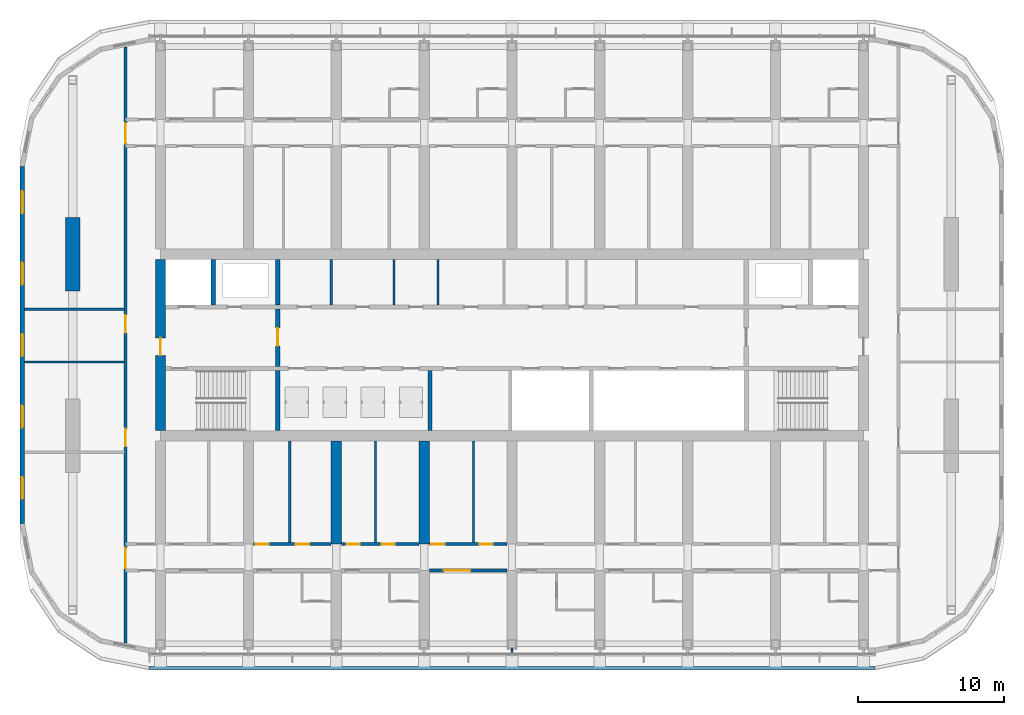
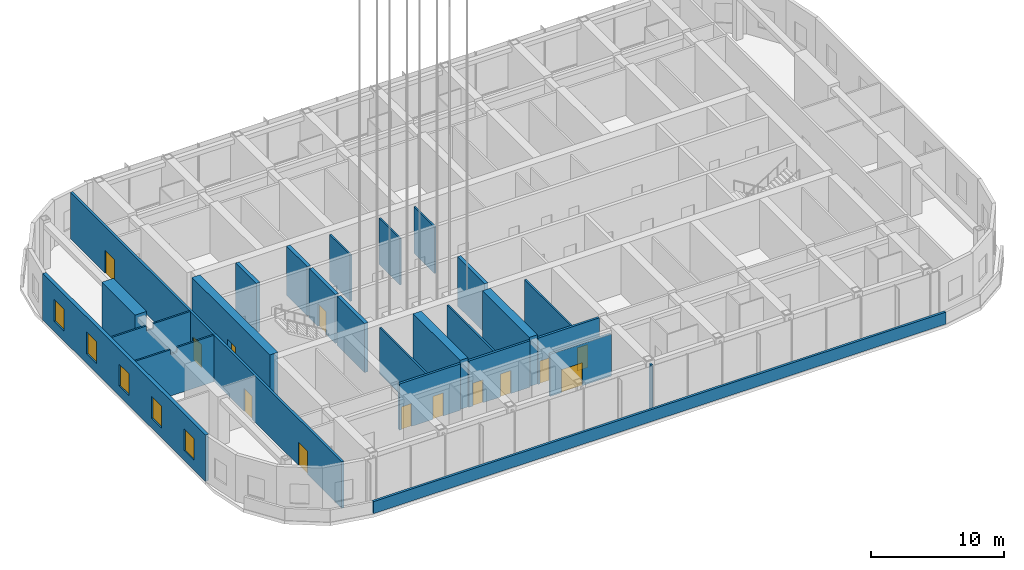
# One storey, part 15 of 35: 25 walls, 13 doors, 5 windows, 18 openings.
"""IFC4 building model written with IfcOpenShell, lengths in metres."""

from ifc_helpers import new_model, si_unit, direction, frame, frame_2d, origin, place, context, subcontext, project, spatial, polyline, rectangle, outline, extrude, material, layer, layer_set, type_object, element, fill, save


model = new_model("IFC4")

# Units and contexts
model_context = context("Model", 3, precision=1e-05, world=origin(), true_north=direction((0.0, 1.0)))
body_context = subcontext(model_context, "Body", "Model", "MODEL_VIEW")
ifc_project = project(units=[si_unit("LENGTHUNIT", "METRE"), si_unit("AREAUNIT", "SQUARE_METRE"), si_unit("VOLUMEUNIT", "CUBIC_METRE"), si_unit("PLANEANGLEUNIT", "RADIAN"), si_unit("MASSUNIT", "GRAM", prefix="KILO")], contexts=[model_context])

# Site, building, storey
site_placement = place(None, origin())
site = spatial("IfcSite", under=ifc_project, at=site_placement, CompositionType="ELEMENT")
building_placement = place(site_placement, origin())
building = spatial("IfcBuilding", under=site, at=building_placement, Name="Orbita Commons", CompositionType="ELEMENT")
storey_placement = place(building_placement, frame((0.0, 0.0, 208.300048828125)))
storey = spatial("IfcBuildingStorey", under=building, at=storey_placement, Name="L51", CompositionType="ELEMENT", Elevation=208.300048828125)

# Wall
ifc_material_1 = material(Name="Concrete C50/60", Category="concrete")
ifc_layer_1 = layer(ifc_material_1, 0.300048828125)
ifc_layer_set_1 = layer_set([ifc_layer_1], Name="Concrete C50/60")
wall_type_1 = type_object("IfcWallType", Name="Core inner wall 300 C50/60", PredefinedType="SHEAR", material=ifc_layer_set_1)
wall_1_placement = place(storey_placement, frame((26.0, 26.14990234375, 0.0), z_axis=(0.0, 0.0, 1.0), x_axis=(0.0, 1.0, 0.0)))
element("IfcWall", 1, at=wall_1_placement, inside=storey, type_object=wall_type_1, Name="Stair S1 wall L51", PredefinedType="SHEAR", context=body_context, shape_type="SweptSolid", body=[
    extrude(rectangle(XDim=4.10009765625, YDim=0.300048828125, at=frame_2d((2.050048828125, 0.0))), origin(), (0.0, 0.0, 1.0), 4.5),
])

# Wall, opening, door
wall_2_placement = place(storey_placement, frame((26.0, 30.550048828125, 0.0), z_axis=(0.0, 0.0, 1.0), x_axis=(0.0, 1.0, 0.0)))
wall_2 = element("IfcWall", 2, at=wall_2_placement, inside=storey, type_object=wall_type_1, Name="Firefighting lobby wall west L51", PredefinedType="SHEAR", context=body_context, shape_type="SweptSolid", body=[
    extrude(rectangle(XDim=3.89990234375, YDim=0.300048828125, at=frame_2d((1.949951171875, 0.0))), origin(), (0.0, 0.0, 1.0), 4.5),
])
opening_1_placement = place(wall_2_placement, frame((1.39990234375, 0.0, 0.0)))
opening_1 = element("IfcOpeningElement", 3, at=opening_1_placement, cuts=wall_2, Name="Opening D04", PredefinedType="OPENING", context=body_context, shape_type="SweptSolid", body=[
    extrude(rectangle(XDim=1.199951171875, YDim=2.10009765625, at=frame_2d((0.60009765625, 1.050048828125))), frame((0.0, 0.159912109375, 0.0), z_axis=(0.0, -1.0, 0.0), x_axis=(1.0, 0.0, 0.0)), (0.0, 0.0, 1.0), 0.320068359375),
])
ifc_material_2 = material(Name="Steel-faced fire door leaf", Category="steel")
door_type_1 = type_object("IfcDoorType", Name="Service door 20 min 1200x2100", OperationType="SINGLE_SWING_LEFT", PredefinedType="DOOR", material=ifc_material_2)
door_1_placement = place(opening_1_placement, origin())
door_1 = element("IfcDoor", 4, at=door_1_placement, inside=storey, type_object=door_type_1, Name="Lift lobby door west", OperationType="SINGLE_SWING_LEFT", OverallHeight=2.10009765625, OverallWidth=1.199951171875, PredefinedType="DOOR", context=body_context, shape_type="SweptSolid", body=[
    extrude(rectangle(XDim=1.199951171875, YDim=2.10009765625, at=frame_2d((0.60009765625, 1.050048828125))), frame((0.0, 0.02490234375, 0.0), z_axis=(0.0, -1.0, 0.0), x_axis=(1.0, 0.0, 0.0)), (0.0, 0.0, 1.0), 0.050048828125),
])
fill(opening_1, door_1)

# Walls
for number, where, z_axis, x_axis, name in (
    (5, (21.60009765625, 34.75, 0.0), (0.0, 0.0, 1.0), (0.0, 1.0, 0.0), "Firefighting lift FL1 shaft wall L51"),
    (6, (26.0, 34.75, 0.0), (0.0, 0.0, 1.0), (0.0, 1.0, 0.0), "Riser wall west L51"),
):
    element("IfcWall", number, at=place(storey_placement, frame(where, z_axis=z_axis, x_axis=x_axis)), inside=storey, type_object=wall_type_1, Name=name, PredefinedType="SHEAR", context=body_context, shape_type="SweptSolid", body=[
        extrude(rectangle(XDim=3.10009765625, YDim=0.300048828125, at=frame_2d((1.550048828125, 0.0))), origin(), (0.0, 0.0, 1.0), 4.5),
    ])
wall_3_placement = place(storey_placement, frame((36.39990234375, 26.14990234375, 0.0), z_axis=(0.0, 0.0, 1.0), x_axis=(0.0, 1.0, 0.0)))
element("IfcWall", 7, at=wall_3_placement, inside=storey, type_object=wall_type_1, Name="Hoistway division wall L51", PredefinedType="SHEAR", context=body_context, shape_type="SweptSolid", body=[
    extrude(rectangle(XDim=4.10009765625, YDim=0.300048828125, at=frame_2d((2.050048828125, 0.0))), origin(), (0.0, 0.0, 1.0), 4.5),
])
ifc_material_3 = material(Name="Concrete blockwork", Category="masonry")
ifc_layer_2 = layer(ifc_material_3, 0.14990234375)
ifc_layer_set_2 = layer_set([ifc_layer_2], Name="Concrete blockwork")
wall_type_2 = type_object("IfcWallType", Name="Core partition 150 blockwork", PredefinedType="SOLIDWALL", material=ifc_layer_set_2)
for number, where, z_axis, x_axis, name in (
    (8, (29.65087890625, 34.75, 0.0), (0.0, 0.0, 1.0), (0.0, 1.0, 0.0), "Core partition 150 blockwork L51"),
    (9, (33.9462890625, 34.75, 0.0), (0.0, 0.0, 1.0), (0.0, 1.0, 0.0), "Core partition 150 blockwork L51"),
    (10, (36.9462890625, 34.75, 0.0), (0.0, 0.0, 1.0), (0.0, 1.0, 0.0), "Core partition 150 blockwork L51"),
):
    element("IfcWall", number, at=place(storey_placement, frame(where, z_axis=z_axis, x_axis=x_axis)), inside=storey, type_object=wall_type_2, Name=name, PredefinedType="SOLIDWALL", context=body_context, shape_type="SweptSolid", body=[
        extrude(rectangle(XDim=3.10009765625, YDim=0.14990234375, at=frame_2d((1.550048828125, 0.0))), origin(), (0.0, 0.0, 1.0), 4.25),
    ])

# Wall, opening, door
ifc_material_4 = material(Name="Concrete C50/60", Category="concrete")
ifc_layer_3 = layer(ifc_material_4, 0.699951171875)
ifc_layer_set_3 = layer_set([ifc_layer_3], Name="Concrete C50/60")
wall_type_3 = type_object("IfcWallType", Name="Core wall 700 C50/60", PredefinedType="SHEAR", material=ifc_layer_set_3)
wall_4_placement = place(storey_placement, frame((18.0, 26.14990234375, 0.0), z_axis=(0.0, 0.0, 1.0), x_axis=(0.0, 1.0, 0.0)))
wall_4 = element("IfcWall", 11, at=wall_4_placement, inside=storey, type_object=wall_type_3, Name="Core end wall west L51", PredefinedType="SHEAR", context=body_context, shape_type="SweptSolid", body=[
    extrude(rectangle(XDim=11.7001953125, YDim=0.699951171875, at=frame_2d((5.85009765625, 0.0))), origin(), (0.0, 0.0, 1.0), 4.5),
])
opening_2_placement = place(wall_4_placement, frame((5.14990234375, 0.0, 0.0)))
opening_2 = element("IfcOpeningElement", 12, at=opening_2_placement, cuts=wall_4, Name="Opening D01", PredefinedType="OPENING", context=body_context, shape_type="SweptSolid", body=[
    extrude(rectangle(XDim=1.199951171875, YDim=2.10009765625, at=frame_2d((0.60009765625, 1.050048828125))), frame((0.0, 0.35986328125, 0.0), z_axis=(0.0, -1.0, 0.0), x_axis=(1.0, 0.0, 0.0)), (0.0, 0.0, 1.0), 0.719970703125),
])
ifc_material_5 = material(Name="Steel-faced fire door leaf", Category="steel")
door_type_2 = type_object("IfcDoorType", Name="Fire door 90 min 1200x2100", OperationType="SINGLE_SWING_LEFT", PredefinedType="DOOR", material=ifc_material_5)
door_2_placement = place(opening_2_placement, origin())
door_2 = element("IfcDoor", 13, at=door_2_placement, inside=storey, type_object=door_type_2, Name="Firefighting lobby west door", OperationType="SINGLE_SWING_LEFT", OverallHeight=2.10009765625, OverallWidth=1.199951171875, PredefinedType="DOOR", context=body_context, shape_type="SweptSolid", body=[
    extrude(rectangle(XDim=1.199951171875, YDim=2.10009765625, at=frame_2d((0.60009765625, 1.050048828125))), frame((0.0, 0.02490234375, 0.0), z_axis=(0.0, -1.0, 0.0), x_axis=(1.0, 0.0, 0.0)), (0.0, 0.0, 1.0), 0.050048828125),
])
fill(opening_2, door_2)

ifc_material_6 = material(Name="Concrete blockwork", Category="masonry")
ifc_layer_4 = layer(ifc_material_6, 0.199951171875)
ifc_layer_set_4 = layer_set([ifc_layer_4], Name="Concrete blockwork")
wall_type_4 = type_object("IfcWallType", Name="Corridor wall 200 blockwork", PredefinedType="SOLIDWALL", material=ifc_layer_set_4)
wall_5_placement = place(storey_placement, frame((36.35009765625, 16.60009765625, 0.0), z_axis=(0.0, 0.0, 1.0), x_axis=(1.0, 0.0, 0.0)))
wall_5 = element("IfcWall", 14, at=wall_5_placement, inside=storey, type_object=wall_type_4, Name="Corridor wall 200 blockwork L51", PredefinedType="SOLIDWALL", context=body_context, shape_type="SweptSolid", body=[
    extrude(outline(polyline([(0.0, 0.0), (5.2998046875, 0.0), (5.300048828125, 3.849853515625), (0.0, 3.849853515625), (0.0, 0.0)])), frame((0.0, 0.10009765625, 0.0), z_axis=(0.0, -1.0, 0.0), x_axis=(1.0, 0.0, 0.0)), (0.0, 0.0, 1.0), 0.199951171875),
])
opening_3_placement = place(wall_5_placement, frame((1.0, 0.0, 0.0)))
opening_3 = element("IfcOpeningElement", 15, at=opening_3_placement, cuts=wall_5, Name="Opening D07", PredefinedType="OPENING", context=body_context, shape_type="SweptSolid", body=[
    extrude(rectangle(XDim=1.800048828125, YDim=2.10009765625, at=frame_2d((0.89990234375, 1.050048828125))), frame((0.0, 0.10986328125, 0.0), z_axis=(0.0, -1.0, 0.0), x_axis=(1.0, 0.0, 0.0)), (0.0, 0.0, 1.0), 0.219970703125),
])
ifc_material_7 = material(Name="Steel-faced fire door leaf", Category="steel")
door_type_3 = type_object("IfcDoorType", Name="Double corridor door 20 min 1800x2100", OperationType="DOUBLE_DOOR_SINGLE_SWING", PredefinedType="DOOR", material=ifc_material_7)
door_3_placement = place(opening_3_placement, origin())
door_3 = element("IfcDoor", 16, at=door_3_placement, inside=storey, type_object=door_type_3, Name="Observatory deck lounge L51-SF4 doors", OperationType="DOUBLE_DOOR_SINGLE_SWING", OverallHeight=2.10009765625, OverallWidth=1.800048828125, PredefinedType="DOOR", context=body_context, shape_type="SweptSolid", body=[
    extrude(rectangle(XDim=1.800048828125, YDim=2.10009765625, at=frame_2d((0.89990234375, 1.050048828125))), frame((0.0, 0.02490234375, 0.0), z_axis=(0.0, -1.0, 0.0), x_axis=(1.0, 0.0, 0.0)), (0.0, 0.0, 1.0), 0.050048828125),
])
fill(opening_3, door_3)

# Wall, openings, doors
wall_6_placement = place(storey_placement, frame((15.60009765625, 11.646240234375, 0.0), z_axis=(0.0, 0.0, 1.0), x_axis=(0.0, 1.0, 0.0)))
wall_6 = element("IfcWall", 17, at=wall_6_placement, inside=storey, type_object=wall_type_4, Name="Corridor wall 200 blockwork L51", PredefinedType="SOLIDWALL", context=body_context, shape_type="SweptSolid", body=[
    extrude(rectangle(XDim=40.70751953125, YDim=0.199951171875, at=frame_2d((20.353759765625, 0.0))), origin(), (0.0, 0.0, 1.0), 4.25),
])
opening_4_placement = place(wall_6_placement, frame((13.433837890625, 0.0, 0.0)))
opening_4 = element("IfcOpeningElement", 18, at=opening_4_placement, cuts=wall_6, Name="Opening D15", PredefinedType="OPENING", context=body_context, shape_type="SweptSolid", body=[
    extrude(rectangle(XDim=1.199951171875, YDim=2.10009765625, at=frame_2d((0.60009765625, 1.050048828125))), frame((0.0, 0.10986328125, 0.0), z_axis=(0.0, -1.0, 0.0), x_axis=(1.0, 0.0, 0.0)), (0.0, 0.0, 1.0), 0.219970703125),
])
opening_5_placement = place(wall_6_placement, frame((21.19384765625, 0.0, 0.0)))
opening_5 = element("IfcOpeningElement", 19, at=opening_5_placement, cuts=wall_6, Name="Opening D15", PredefinedType="OPENING", context=body_context, shape_type="SweptSolid", body=[
    extrude(rectangle(XDim=1.199951171875, YDim=2.10009765625, at=frame_2d((0.60009765625, 1.050048828125))), frame((0.0, 0.10986328125, 0.0), z_axis=(0.0, -1.0, 0.0), x_axis=(1.0, 0.0, 0.0)), (0.0, 0.0, 1.0), 0.219970703125),
])
opening_6_placement = place(wall_6_placement, frame((5.103759765625, 0.0, 0.0)))
opening_6 = element("IfcOpeningElement", 20, at=opening_6_placement, cuts=wall_6, Name="Opening D08", PredefinedType="OPENING", context=body_context, shape_type="SweptSolid", body=[
    extrude(rectangle(XDim=1.39990234375, YDim=2.10009765625, at=frame_2d((0.699951171875, 1.050048828125))), frame((0.0, 0.10986328125, 0.0), z_axis=(0.0, -1.0, 0.0), x_axis=(1.0, 0.0, 0.0)), (0.0, 0.0, 1.0), 0.219970703125),
])
opening_7_placement = place(wall_6_placement, frame((34.103759765625, 0.0, 0.0)))
opening_7 = element("IfcOpeningElement", 21, at=opening_7_placement, cuts=wall_6, Name="Opening D08", PredefinedType="OPENING", context=body_context, shape_type="SweptSolid", body=[
    extrude(rectangle(XDim=1.39990234375, YDim=2.10009765625, at=frame_2d((0.699951171875, 1.050048828125))), frame((0.0, 0.10986328125, 0.0), z_axis=(0.0, -1.0, 0.0), x_axis=(1.0, 0.0, 0.0)), (0.0, 0.0, 1.0), 0.219970703125),
])
ifc_material_8 = material(Name="Steel-faced fire door leaf", Category="steel")
door_type_4 = type_object("IfcDoorType", Name="Corridor door 20 min 1200x2100", OperationType="SINGLE_SWING_LEFT", PredefinedType="DOOR", material=ifc_material_8)
door_4_placement = place(opening_4_placement, origin())
door_4 = element("IfcDoor", 22, at=door_4_placement, inside=storey, type_object=door_type_4, Name="Study hall door", OperationType="SINGLE_SWING_LEFT", OverallHeight=2.10009765625, OverallWidth=1.199951171875, PredefinedType="DOOR", context=body_context, shape_type="SweptSolid", body=[
    extrude(rectangle(XDim=1.199951171875, YDim=2.10009765625, at=frame_2d((0.60009765625, 1.050048828125))), frame((0.0, 0.02490234375, 0.0), z_axis=(0.0, -1.0, 0.0), x_axis=(1.0, 0.0, 0.0)), (0.0, 0.0, 1.0), 0.050048828125),
])
fill(opening_4, door_4)
door_5_placement = place(opening_5_placement, origin())
door_5 = element("IfcDoor", 23, at=door_5_placement, inside=storey, type_object=door_type_4, Name="Sky lounge door", OperationType="SINGLE_SWING_LEFT", OverallHeight=2.10009765625, OverallWidth=1.199951171875, PredefinedType="DOOR", context=body_context, shape_type="SweptSolid", body=[
    extrude(rectangle(XDim=1.199951171875, YDim=2.10009765625, at=frame_2d((0.60009765625, 1.050048828125))), frame((0.0, 0.02490234375, 0.0), z_axis=(0.0, -1.0, 0.0), x_axis=(1.0, 0.0, 0.0)), (0.0, 0.0, 1.0), 0.050048828125),
])
fill(opening_5, door_5)
ifc_material_9 = material(Name="Steel-faced fire door leaf", Category="steel")
door_type_5 = type_object("IfcDoorType", Name="Double corridor door 20 min 1400x2100", OperationType="DOUBLE_DOOR_SINGLE_SWING", PredefinedType="DOOR", material=ifc_material_9)
door_6_placement = place(opening_6_placement, origin())
door_6 = element("IfcDoor", 24, at=door_6_placement, inside=storey, type_object=door_type_5, Name="Lounge doors", OperationType="DOUBLE_DOOR_SINGLE_SWING", OverallHeight=2.10009765625, OverallWidth=1.39990234375, PredefinedType="DOOR", context=body_context, shape_type="SweptSolid", body=[
    extrude(rectangle(XDim=1.39990234375, YDim=2.10009765625, at=frame_2d((0.699951171875, 1.050048828125))), frame((0.0, 0.02490234375, 0.0), z_axis=(0.0, -1.0, 0.0), x_axis=(1.0, 0.0, 0.0)), (0.0, 0.0, 1.0), 0.050048828125),
])
fill(opening_6, door_6)
door_7_placement = place(opening_7_placement, origin())
door_7 = element("IfcDoor", 25, at=door_7_placement, inside=storey, type_object=door_type_5, Name="Lounge doors", OperationType="DOUBLE_DOOR_SINGLE_SWING", OverallHeight=2.10009765625, OverallWidth=1.39990234375, PredefinedType="DOOR", context=body_context, shape_type="SweptSolid", body=[
    extrude(rectangle(XDim=1.39990234375, YDim=2.10009765625, at=frame_2d((0.699951171875, 1.050048828125))), frame((0.0, 0.02490234375, 0.0), z_axis=(0.0, -1.0, 0.0), x_axis=(1.0, 0.0, 0.0)), (0.0, 0.0, 1.0), 0.050048828125),
])
fill(opening_7, door_7)

ifc_material_10 = material(Name="Hollow concrete block 200", Category="concrete")
ifc_layer_5 = layer(ifc_material_10, 0.199951171875)
ifc_layer_set_5 = layer_set([ifc_layer_5], Name="Hollow concrete block 200")
wall_type_5 = type_object("IfcWallType", Name="Corridor wall 200 hollow concrete block", PredefinedType="SOLIDWALL", material=ifc_layer_set_5)
wall_7_placement = place(storey_placement, frame((24.35009765625, 18.39990234375, 0.0), z_axis=(0.0, 0.0, 1.0), x_axis=(1.0, 0.0, 0.0)))
wall_7 = element("IfcWall", 26, at=wall_7_placement, inside=storey, type_object=wall_type_5, Name="Corridor wall 200 hollow concrete block L51", PredefinedType="SOLIDWALL", context=body_context, shape_type="SweptSolid", body=[
    extrude(rectangle(XDim=5.2998046875, YDim=0.199951171875, at=frame_2d((2.64990234375, 0.0))), origin(), (0.0, 0.0, 1.0), 4.25),
])
opening_8_placement = place(wall_7_placement, frame((0.14990234375, 0.0, 0.0)))
opening_8 = element("IfcOpeningElement", 27, at=opening_8_placement, cuts=wall_7, Name="Opening D11", PredefinedType="OPENING", context=body_context, shape_type="SweptSolid", body=[
    extrude(rectangle(XDim=0.89990234375, YDim=2.10009765625, at=frame_2d((0.449951171875, 1.050048828125))), frame((0.0, 0.10986328125, 0.0), z_axis=(0.0, -1.0, 0.0), x_axis=(1.0, 0.0, 0.0)), (0.0, 0.0, 1.0), 0.219970703125),
])
opening_9_placement = place(wall_7_placement, frame((2.89501953125, 0.0, 0.0)))
opening_9 = element("IfcOpeningElement", 28, at=opening_9_placement, cuts=wall_7, Name="Opening D11", PredefinedType="OPENING", context=body_context, shape_type="SweptSolid", body=[
    extrude(rectangle(XDim=0.89990234375, YDim=2.10009765625, at=frame_2d((0.449951171875, 1.050048828125))), frame((0.0, 0.10986328125, 0.0), z_axis=(0.0, -1.0, 0.0), x_axis=(1.0, 0.0, 0.0)), (0.0, 0.0, 1.0), 0.219970703125),
])
ifc_material_11 = material(Name="Steel-faced fire door leaf", Category="steel")
door_type_6 = type_object("IfcDoorType", Name="Corridor door 20 min 900x2100", OperationType="SINGLE_SWING_LEFT", PredefinedType="DOOR", material=ifc_material_11)
door_8_placement = place(opening_8_placement, origin())
door_8 = element("IfcDoor", 29, at=door_8_placement, inside=storey, type_object=door_type_6, Name="Meeting room L51-BDS24 door", OperationType="SINGLE_SWING_LEFT", OverallHeight=2.10009765625, OverallWidth=0.89990234375, PredefinedType="DOOR", context=body_context, shape_type="SweptSolid", body=[
    extrude(rectangle(XDim=0.89990234375, YDim=2.10009765625, at=frame_2d((0.449951171875, 1.050048828125))), frame((0.0, 0.02490234375, 0.0), z_axis=(0.0, -1.0, 0.0), x_axis=(1.0, 0.0, 0.0)), (0.0, 0.0, 1.0), 0.050048828125),
])
fill(opening_8, door_8)
door_9_placement = place(opening_9_placement, origin())
door_9 = element("IfcDoor", 30, at=door_9_placement, inside=storey, type_object=door_type_6, Name="Water heater cupboard L51-BDS24n door", OperationType="SINGLE_SWING_LEFT", OverallHeight=2.10009765625, OverallWidth=0.89990234375, PredefinedType="DOOR", context=body_context, shape_type="SweptSolid", body=[
    extrude(rectangle(XDim=0.89990234375, YDim=2.10009765625, at=frame_2d((0.449951171875, 1.050048828125))), frame((0.0, 0.02490234375, 0.0), z_axis=(0.0, -1.0, 0.0), x_axis=(1.0, 0.0, 0.0)), (0.0, 0.0, 1.0), 0.050048828125),
])
fill(opening_9, door_9)

wall_8_placement = place(storey_placement, frame((30.35009765625, 18.39990234375, 0.0), z_axis=(0.0, 0.0, 1.0), x_axis=(1.0, 0.0, 0.0)))
wall_8 = element("IfcWall", 31, at=wall_8_placement, inside=storey, type_object=wall_type_5, Name="Corridor wall 200 hollow concrete block L51", PredefinedType="SOLIDWALL", context=body_context, shape_type="SweptSolid", body=[
    extrude(rectangle(XDim=5.2998046875, YDim=0.199951171875, at=frame_2d((2.64990234375, 0.0))), origin(), (0.0, 0.0, 1.0), 4.25),
])
opening_10_placement = place(wall_8_placement, frame((0.35009765625, 0.0, 0.0)))
opening_10 = element("IfcOpeningElement", 32, at=opening_10_placement, cuts=wall_8, Name="Opening D11", PredefinedType="OPENING", context=body_context, shape_type="SweptSolid", body=[
    extrude(rectangle(XDim=0.89990234375, YDim=2.10009765625, at=frame_2d((0.449951171875, 1.050048828125))), frame((0.0, 0.10986328125, 0.0), z_axis=(0.0, -1.0, 0.0), x_axis=(1.0, 0.0, 0.0)), (0.0, 0.0, 1.0), 0.219970703125),
])
opening_11_placement = place(wall_8_placement, frame((2.7548828125, 0.0, 0.0)))
opening_11 = element("IfcOpeningElement", 33, at=opening_11_placement, cuts=wall_8, Name="Opening D11", PredefinedType="OPENING", context=body_context, shape_type="SweptSolid", body=[
    extrude(rectangle(XDim=0.89990234375, YDim=2.10009765625, at=frame_2d((0.449951171875, 1.050048828125))), frame((0.0, 0.10986328125, 0.0), z_axis=(0.0, -1.0, 0.0), x_axis=(1.0, 0.0, 0.0)), (0.0, 0.0, 1.0), 0.219970703125),
])
door_10_placement = place(opening_10_placement, origin())
door_10 = element("IfcDoor", 34, at=door_10_placement, inside=storey, type_object=door_type_6, Name="Battery and UPS room L51-BDS30n door", OperationType="SINGLE_SWING_LEFT", OverallHeight=2.10009765625, OverallWidth=0.89990234375, PredefinedType="DOOR", context=body_context, shape_type="SweptSolid", body=[
    extrude(rectangle(XDim=0.89990234375, YDim=2.10009765625, at=frame_2d((0.449951171875, 1.050048828125))), frame((0.0, 0.02490234375, 0.0), z_axis=(0.0, -1.0, 0.0), x_axis=(1.0, 0.0, 0.0)), (0.0, 0.0, 1.0), 0.050048828125),
])
fill(opening_10, door_10)
door_11_placement = place(opening_11_placement, origin())
door_11 = element("IfcDoor", 35, at=door_11_placement, inside=storey, type_object=door_type_6, Name="Refuse and recycling room L51-BDS30 door", OperationType="SINGLE_SWING_LEFT", OverallHeight=2.10009765625, OverallWidth=0.89990234375, PredefinedType="DOOR", context=body_context, shape_type="SweptSolid", body=[
    extrude(rectangle(XDim=0.89990234375, YDim=2.10009765625, at=frame_2d((0.449951171875, 1.050048828125))), frame((0.0, 0.02490234375, 0.0), z_axis=(0.0, -1.0, 0.0), x_axis=(1.0, 0.0, 0.0)), (0.0, 0.0, 1.0), 0.050048828125),
])
fill(opening_11, door_11)

wall_9_placement = place(storey_placement, frame((36.35009765625, 18.39990234375, 0.0), z_axis=(0.0, 0.0, 1.0), x_axis=(1.0, 0.0, 0.0)))
wall_9 = element("IfcWall", 36, at=wall_9_placement, inside=storey, type_object=wall_type_5, Name="Corridor wall 200 hollow concrete block L51", PredefinedType="SOLIDWALL", context=body_context, shape_type="SweptSolid", body=[
    extrude(rectangle(XDim=5.2998046875, YDim=0.199951171875, at=frame_2d((2.64990234375, 0.0))), origin(), (0.0, 0.0, 1.0), 4.25),
])
opening_12_placement = place(wall_9_placement, frame((0.14990234375, 0.0, 0.0)))
opening_12 = element("IfcOpeningElement", 37, at=opening_12_placement, cuts=wall_9, Name="Opening D11", PredefinedType="OPENING", context=body_context, shape_type="SweptSolid", body=[
    extrude(rectangle(XDim=0.89990234375, YDim=2.10009765625, at=frame_2d((0.449951171875, 1.050048828125))), frame((0.0, 0.10986328125, 0.0), z_axis=(0.0, -1.0, 0.0), x_axis=(1.0, 0.0, 0.0)), (0.0, 0.0, 1.0), 0.219970703125),
])
opening_13_placement = place(wall_9_placement, frame((3.445068359375, 0.0, 0.0)))
opening_13 = element("IfcOpeningElement", 38, at=opening_13_placement, cuts=wall_9, Name="Opening D11", PredefinedType="OPENING", context=body_context, shape_type="SweptSolid", body=[
    extrude(rectangle(XDim=0.89990234375, YDim=2.10009765625, at=frame_2d((0.449951171875, 1.050048828125))), frame((0.0, 0.10986328125, 0.0), z_axis=(0.0, -1.0, 0.0), x_axis=(1.0, 0.0, 0.0)), (0.0, 0.0, 1.0), 0.219970703125),
])
door_12_placement = place(opening_12_placement, origin())
door_12 = element("IfcDoor", 39, at=door_12_placement, inside=storey, type_object=door_type_6, Name="Guest luggage store L51-BDS36 door", OperationType="SINGLE_SWING_LEFT", OverallHeight=2.10009765625, OverallWidth=0.89990234375, PredefinedType="DOOR", context=body_context, shape_type="SweptSolid", body=[
    extrude(rectangle(XDim=0.89990234375, YDim=2.10009765625, at=frame_2d((0.449951171875, 1.050048828125))), frame((0.0, 0.02490234375, 0.0), z_axis=(0.0, -1.0, 0.0), x_axis=(1.0, 0.0, 0.0)), (0.0, 0.0, 1.0), 0.050048828125),
])
fill(opening_12, door_12)
door_13_placement = place(opening_13_placement, origin())
door_13 = element("IfcDoor", 40, at=door_13_placement, inside=storey, type_object=door_type_6, Name="Sprinkler valve room L51-BDS36n door", OperationType="SINGLE_SWING_LEFT", OverallHeight=2.10009765625, OverallWidth=0.89990234375, PredefinedType="DOOR", context=body_context, shape_type="SweptSolid", body=[
    extrude(rectangle(XDim=0.89990234375, YDim=2.10009765625, at=frame_2d((0.449951171875, 1.050048828125))), frame((0.0, 0.02490234375, 0.0), z_axis=(0.0, -1.0, 0.0), x_axis=(1.0, 0.0, 0.0)), (0.0, 0.0, 1.0), 0.050048828125),
])
fill(opening_13, door_13)

# Walls
ifc_material_12 = material(Name="Concrete C50/60", Category="concrete")
ifc_layer_6 = layer(ifc_material_12, 0.699951171875)
ifc_layer_set_6 = layer_set([ifc_layer_6], Name="Concrete C50/60")
wall_type_6 = type_object("IfcWallType", Name="Cross wall 700 C50/60", PredefinedType="SHEAR", material=ifc_layer_set_6)
for number, where, z_axis, x_axis, name in (
    (41, (30.0, 18.39990234375, 0.0), (0.0, 0.0, 1.0), (0.0, 1.0, 0.0), "Cross wall 6 south inner L51"),
    (42, (36.0, 18.39990234375, 0.0), (0.0, 0.0, 1.0), (0.0, 1.0, 0.0), "Cross wall 7 south inner L51"),
):
    element("IfcWall", number, at=place(storey_placement, frame(where, z_axis=z_axis, x_axis=x_axis)), inside=storey, type_object=wall_type_6, Name=name, PredefinedType="SHEAR", context=body_context, shape_type="SweptSolid", body=[
        extrude(rectangle(XDim=7.050048828125, YDim=0.699951171875, at=frame_2d((3.52490234375, 0.0))), origin(), (0.0, 0.0, 1.0), 4.5),
    ])
ifc_material_13 = material(Name="Concrete C50/60", Category="concrete")
ifc_layer_7 = layer(ifc_material_13, 1.0)
ifc_layer_set_7 = layer_set([ifc_layer_7], Name="Concrete C50/60")
wall_type_7 = type_object("IfcWallType", Name="End pier 1000x5000 C50/60", PredefinedType="SHEAR", material=ifc_layer_set_7)
wall_10_placement = place(storey_placement, frame((12.0, 35.699951171875, 0.0), z_axis=(0.0, 0.0, 1.0), x_axis=(0.0, 1.0, 0.0)))
element("IfcWall", 43, at=wall_10_placement, inside=storey, type_object=wall_type_7, Name="End pier 3/D L51", PredefinedType="SHEAR", context=body_context, shape_type="SweptSolid", body=[
    extrude(rectangle(XDim=5.0, YDim=1.0, at=frame_2d((2.5, 0.0))), origin(), (0.0, 0.0, 1.0), 4.5),
])
ifc_material_14 = material(Name="Gypsum plasterboard on steel studs", Category="steel")
ifc_layer_8 = layer(ifc_material_14, 0.14990234375)
ifc_layer_set_8 = layer_set([ifc_layer_8], Name="Gypsum plasterboard on steel studs")
wall_type_8 = type_object("IfcWallType", Name="Partition 150 plasterboard", PredefinedType="PARTITIONING", material=ifc_layer_set_8)
for number, where, z_axis, x_axis, name in (
    (44, (26.820068359375, 18.5, 0.0), (0.0, 0.0, 1.0), (0.0, 1.0, 0.0), "Partition 150 plasterboard L51"),
    (45, (32.679931640625, 18.5, 0.0), (0.0, 0.0, 1.0), (0.0, 1.0, 0.0), "Partition 150 plasterboard L51"),
    (46, (39.3701171875, 18.5, 0.0), (0.0, 0.0, 1.0), (0.0, 1.0, 0.0), "Partition 150 plasterboard L51"),
):
    element("IfcWall", number, at=place(storey_placement, frame(where, z_axis=z_axis, x_axis=x_axis)), inside=storey, type_object=wall_type_8, Name=name, PredefinedType="PARTITIONING", context=body_context, shape_type="SweptSolid", body=[
        extrude(rectangle(XDim=6.949951171875, YDim=0.14990234375, at=frame_2d((3.47509765625, 0.0))), origin(), (0.0, 0.0, 1.0), 4.25),
    ])
for number, where, z_axis, x_axis, name in (
    (47, (8.705078125, 30.85009765625, 0.0), (0.0, 0.0, 1.0), (1.0, 0.0, 0.0), "Partition 150 plasterboard L51"),
    (48, (8.705078125, 34.43994140625, 0.0), (0.0, 0.0, 1.0), (1.0, 0.0, 0.0), "Partition 150 plasterboard L51"),
):
    element("IfcWall", number, at=place(storey_placement, frame(where, z_axis=z_axis, x_axis=x_axis)), inside=storey, type_object=wall_type_8, Name=name, PredefinedType="PARTITIONING", context=body_context, shape_type="SweptSolid", body=[
        extrude(outline(polyline([(0.0, 0.0), (6.81982421875, 0.0), (6.820068359375, 4.25), (3.596923828125, 4.25), (3.594970703125, 3.800048828125), (2.9970703125, 3.800048828125), (2.9951171875, 4.25), (0.0, 4.25), (0.0, 0.0)])), frame((0.0, 0.074951171875, 0.0), z_axis=(0.0, -1.0, 0.0), x_axis=(1.0, 0.0, 0.0)), (0.0, 0.0, 1.0), 0.14990234375),
    ])
wall_11_placement = place(storey_placement, frame((42.0, 11.300048828125, 0.0), z_axis=(0.0, 0.0, 1.0), x_axis=(0.0, -1.0, 0.0)))
element("IfcWall", 49, at=wall_11_placement, inside=storey, type_object=wall_type_8, Name="Partition 150 plasterboard L51", PredefinedType="PARTITIONING", context=body_context, shape_type="SweptSolid", body=[
    extrude(rectangle(XDim=0.2900390625, YDim=0.14990234375, at=frame_2d((0.14501953125, 0.0))), origin(), (0.0, 0.0, 1.0), 4.25),
])

# Wall, openings, windows
ifc_material_15 = material(Name="Precast concrete C40/50, white board-marked finish", Category="concrete")
ifc_layer_9 = layer(ifc_material_15, 0.300048828125)
ifc_layer_set_9 = layer_set([ifc_layer_9], Name="Precast concrete C40/50, white board-marked finish")
wall_type_9 = type_object("IfcWallType", Name="Precast concrete end shield 300", PredefinedType="SOLIDWALL", material=ifc_layer_set_9)
wall_12_placement = place(storey_placement, frame((8.550048828125, 44.199951171875, 0.0), z_axis=(0.0, 0.0, 1.0), x_axis=(0.0, -1.0, 0.0)))
wall_12 = element("IfcWall", 50, at=wall_12_placement, inside=storey, type_object=wall_type_9, Name="End shield W L51", PredefinedType="SOLIDWALL", context=body_context, shape_type="SweptSolid", body=[
    extrude(outline(polyline([(-0.014892578125, -0.14990234375), (24.414794921875, -0.14990234375), (24.385009765625, 0.14990234375), (0.014892578125, 0.14990234375), (-0.014892578125, -0.14990234375)])), origin(), (0.0, 0.0, 1.0), 4.25),
])
opening_14_placement = place(wall_12_placement, frame((1.68994140625, 0.0, 0.89990234375)))
opening_14 = element("IfcOpeningElement", 51, at=opening_14_placement, cuts=wall_12, Name="Opening W01", PredefinedType="OPENING", context=body_context, shape_type="SweptSolid", body=[
    extrude(rectangle(XDim=1.5, YDim=2.0, at=frame_2d((0.75, 1.0))), frame((0.0, 0.159912109375, 0.0), z_axis=(0.0, -1.0, 0.0), x_axis=(1.0, 0.0, 0.0)), (0.0, 0.0, 1.0), 0.320068359375),
])
opening_15_placement = place(wall_12_placement, frame((6.570068359375, 0.0, 0.89990234375)))
opening_15 = element("IfcOpeningElement", 52, at=opening_15_placement, cuts=wall_12, Name="Opening W01", PredefinedType="OPENING", context=body_context, shape_type="SweptSolid", body=[
    extrude(rectangle(XDim=1.5, YDim=2.0, at=frame_2d((0.75, 1.0))), frame((0.0, 0.159912109375, 0.0), z_axis=(0.0, -1.0, 0.0), x_axis=(1.0, 0.0, 0.0)), (0.0, 0.0, 1.0), 0.320068359375),
])
opening_16_placement = place(wall_12_placement, frame((11.449951171875, 0.0, 0.89990234375)))
opening_16 = element("IfcOpeningElement", 53, at=opening_16_placement, cuts=wall_12, Name="Opening W01", PredefinedType="OPENING", context=body_context, shape_type="SweptSolid", body=[
    extrude(rectangle(XDim=1.5, YDim=2.0, at=frame_2d((0.75, 1.0))), frame((0.0, 0.159912109375, 0.0), z_axis=(0.0, -1.0, 0.0), x_axis=(1.0, 0.0, 0.0)), (0.0, 0.0, 1.0), 0.320068359375),
])
opening_17_placement = place(wall_12_placement, frame((16.330078125, 0.0, 0.89990234375)))
opening_17 = element("IfcOpeningElement", 54, at=opening_17_placement, cuts=wall_12, Name="Opening W01", PredefinedType="OPENING", context=body_context, shape_type="SweptSolid", body=[
    extrude(rectangle(XDim=1.5, YDim=2.0, at=frame_2d((0.75, 1.0))), frame((0.0, 0.159912109375, 0.0), z_axis=(0.0, -1.0, 0.0), x_axis=(1.0, 0.0, 0.0)), (0.0, 0.0, 1.0), 0.320068359375),
])
opening_18_placement = place(wall_12_placement, frame((21.2099609375, 0.0, 0.89990234375)))
opening_18 = element("IfcOpeningElement", 55, at=opening_18_placement, cuts=wall_12, Name="Opening W01", PredefinedType="OPENING", context=body_context, shape_type="SweptSolid", body=[
    extrude(rectangle(XDim=1.5, YDim=2.0, at=frame_2d((0.75, 1.0))), frame((0.0, 0.159912109375, 0.0), z_axis=(0.0, -1.0, 0.0), x_axis=(1.0, 0.0, 0.0)), (0.0, 0.0, 1.0), 0.320068359375),
])
ifc_material_16 = material(Name="Aluminium frame, clear double glazing", Category="aluminium")
window_type = type_object("IfcWindowType", Name="Deep-set window 1500x2000", PartitioningType="SINGLE_PANEL", PredefinedType="WINDOW", material=ifc_material_16)
window_1_placement = place(opening_14_placement, origin())
window_1 = element("IfcWindow", 56, at=window_1_placement, inside=storey, type_object=window_type, Name="Window L51-W 1", OverallHeight=2.0, OverallWidth=1.5, PartitioningType="SINGLE_PANEL", PredefinedType="WINDOW", context=body_context, shape_type="SweptSolid", body=[
    extrude(rectangle(XDim=1.5, YDim=2.0, at=frame_2d((0.75, 1.0))), frame((0.0, 0.030029296875, 0.0), z_axis=(0.0, -1.0, 0.0), x_axis=(1.0, 0.0, 0.0)), (0.0, 0.0, 1.0), 0.06005859375),
])
fill(opening_14, window_1)
window_2_placement = place(opening_15_placement, origin())
window_2 = element("IfcWindow", 57, at=window_2_placement, inside=storey, type_object=window_type, Name="Window L51-W 2", OverallHeight=2.0, OverallWidth=1.5, PartitioningType="SINGLE_PANEL", PredefinedType="WINDOW", context=body_context, shape_type="SweptSolid", body=[
    extrude(rectangle(XDim=1.5, YDim=2.0, at=frame_2d((0.75, 1.0))), frame((0.0, 0.030029296875, 0.0), z_axis=(0.0, -1.0, 0.0), x_axis=(1.0, 0.0, 0.0)), (0.0, 0.0, 1.0), 0.06005859375),
])
fill(opening_15, window_2)
window_3_placement = place(opening_16_placement, origin())
window_3 = element("IfcWindow", 58, at=window_3_placement, inside=storey, type_object=window_type, Name="Window L51-W 3", OverallHeight=2.0, OverallWidth=1.5, PartitioningType="SINGLE_PANEL", PredefinedType="WINDOW", context=body_context, shape_type="SweptSolid", body=[
    extrude(rectangle(XDim=1.5, YDim=2.0, at=frame_2d((0.75, 1.0))), frame((0.0, 0.030029296875, 0.0), z_axis=(0.0, -1.0, 0.0), x_axis=(1.0, 0.0, 0.0)), (0.0, 0.0, 1.0), 0.06005859375),
])
fill(opening_16, window_3)
window_4_placement = place(opening_17_placement, origin())
window_4 = element("IfcWindow", 59, at=window_4_placement, inside=storey, type_object=window_type, Name="Window L51-W 4", OverallHeight=2.0, OverallWidth=1.5, PartitioningType="SINGLE_PANEL", PredefinedType="WINDOW", context=body_context, shape_type="SweptSolid", body=[
    extrude(rectangle(XDim=1.5, YDim=2.0, at=frame_2d((0.75, 1.0))), frame((0.0, 0.030029296875, 0.0), z_axis=(0.0, -1.0, 0.0), x_axis=(1.0, 0.0, 0.0)), (0.0, 0.0, 1.0), 0.06005859375),
])
fill(opening_17, window_4)
window_5_placement = place(opening_18_placement, origin())
window_5 = element("IfcWindow", 60, at=window_5_placement, inside=storey, type_object=window_type, Name="Window L51-W 5", OverallHeight=2.0, OverallWidth=1.5, PartitioningType="SINGLE_PANEL", PredefinedType="WINDOW", context=body_context, shape_type="SweptSolid", body=[
    extrude(rectangle(XDim=1.5, YDim=2.0, at=frame_2d((0.75, 1.0))), frame((0.0, 0.030029296875, 0.0), z_axis=(0.0, -1.0, 0.0), x_axis=(1.0, 0.0, 0.0)), (0.0, 0.0, 1.0), 0.06005859375),
])
fill(opening_18, window_5)

# Wall
ifc_material_17 = material(Name="Precast concrete C40/50, white board-marked finish", Category="concrete")
ifc_layer_10 = layer(ifc_material_17, 0.199951171875)
ifc_layer_set_10 = layer_set([ifc_layer_10], Name="Precast concrete C40/50, white board-marked finish")
wall_type_10 = type_object("IfcWallType", Name="Precast parapet 200", PredefinedType="PARAPET", material=ifc_layer_set_10)
wall_13_placement = place(storey_placement, frame((66.78515625, 9.949951171875, 0.0), z_axis=(0.0, 0.0, 1.0), x_axis=(-1.0, 0.0, 0.0)))
element("IfcWall", 61, at=wall_13_placement, inside=storey, type_object=wall_type_10, Name="Parapet L51 1.4", PredefinedType="PARAPET", context=body_context, shape_type="SweptSolid", body=[
    extrude(rectangle(XDim=49.5703125, YDim=0.199951171875, at=frame_2d((24.78515625, 0.0))), origin(), (0.0, 0.0, 1.0), 1.099853515625),
])

save(model, "model.ifc")
